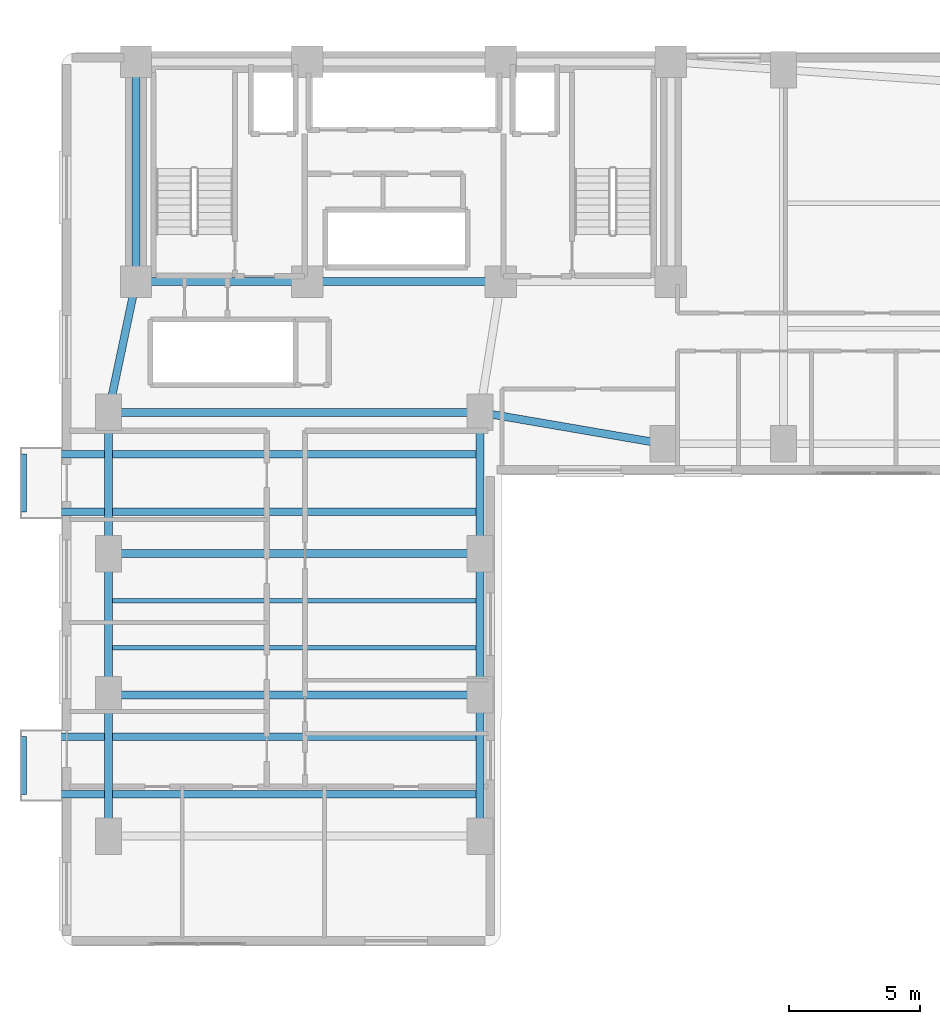
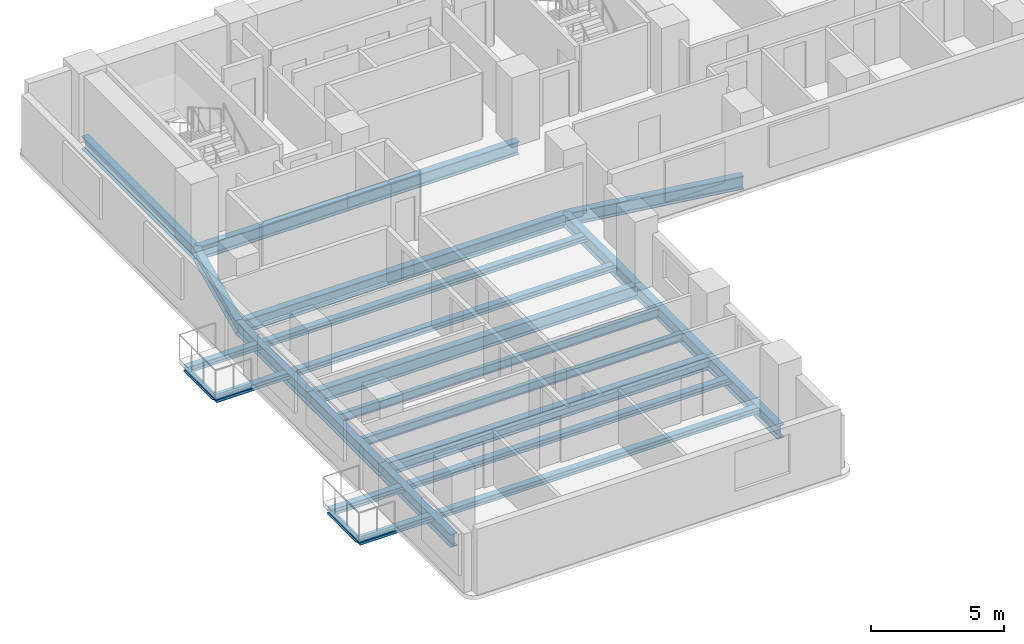
# One storey, part 3 of 18: 22 beams.
"""IFC4 building model written with IfcOpenShell, lengths in metres."""

import ifcopenshell
import ifcopenshell.guid

model = None  # the IFC model being written
_history = None  # IfcOwnerHistory: only IFC2X3 demands one
_inside = {}  # id of a spatial element -> (the spatial element, [elements in it])
_under = {}  # id of a project, library or spatial element -> (it, [spatial elements below it])
_declared = {}  # id of a project -> (the project, [libraries it declares])
_typed = {}  # id of a type object -> (the type object, [elements of that type])
_made_of = {}  # id of a material, layer set ... -> (it, [elements and type objects made of it])


def new_model(schema):
    """Start an empty IFC model of exactly this schema.

    Asked for "IFC4X3", IfcOpenShell would pick the latest addendum, in which some entities
    have other attributes; the version numbers below select the first issue.
    IFC2X3 requires an IfcOwnerHistory on every rooted entity: one is made here for all.
    """
    global model, _history
    if schema == "IFC4X3":
        model = ifcopenshell.file(schema_version=(4, 3, 0, 0))
    else:
        model = ifcopenshell.file(schema=schema)
    _inside.clear()
    _under.clear()
    _declared.clear()
    _typed.clear()
    _made_of.clear()
    _history = None
    if model.schema == "IFC2X3":
        org = make("IfcOrganization", Name="unknown")
        user = make(
            "IfcPersonAndOrganization",
            ThePerson=make("IfcPerson", FamilyName="unknown"),
            TheOrganization=org,
        )
        app = make(
            "IfcApplication",
            ApplicationDeveloper=org,
            Version="unknown",
            ApplicationFullName="unknown",
            ApplicationIdentifier="unknown",
        )
        _history = make(
            "IfcOwnerHistory",
            OwningUser=user,
            OwningApplication=app,
            ChangeAction="ADDED",
            CreationDate=0,
        )
    return model


def make(cls, **values):
    """One entity of the class cls with the attributes given. An attribute that is None is left unset."""
    return model.create_entity(
        cls, **{name: value for name, value in values.items() if value is not None}
    )


def rooted(cls, **values):
    """An entity with a GlobalId (a new one), such as an element, a storey or a relation."""
    return make(cls, GlobalId=ifcopenshell.guid.new(), OwnerHistory=_history, **values)


def si_unit(unit_type, name, prefix=None):
    """IfcSIUnit, for example si_unit("LENGTHUNIT", "METRE", prefix="MILLI")."""
    return make("IfcSIUnit", UnitType=unit_type, Prefix=prefix, Name=name)


def assignment(units):
    """IfcUnitAssignment: the units of a project."""
    return None if units is None else make("IfcUnitAssignment", Units=units)


def point(xyz):
    """IfcCartesianPoint."""
    return None if xyz is None else make("IfcCartesianPoint", Coordinates=xyz)


def direction(xyz):
    """IfcDirection."""
    return None if xyz is None else make("IfcDirection", DirectionRatios=xyz)


def frame(location, z_axis=None, x_axis=None):
    """IfcAxis2Placement3D, a coordinate frame: its origin and axes. An axis left out is left unset."""
    return make(
        "IfcAxis2Placement3D",
        Location=point(location),
        Axis=direction(z_axis),
        RefDirection=direction(x_axis),
    )


def frame_2d(location, x_axis=None):
    """IfcAxis2Placement2D, a coordinate frame in the plane: its origin and x axis."""
    return make(
        "IfcAxis2Placement2D", Location=point(location), RefDirection=direction(x_axis)
    )


def origin():
    """The frame at (0, 0, 0) with its axes left unset."""
    return frame((0.0, 0.0, 0.0))


def origin_2d():
    """The frame at (0, 0) in the plane with its x axis left unset."""
    return frame_2d((0.0, 0.0))


def place(relative_to, where):
    """IfcLocalPlacement: puts the frame where relative to a parent placement (None: the world)."""
    return make(
        "IfcLocalPlacement", PlacementRelTo=relative_to, RelativePlacement=where
    )


def context(
    kind, dimensions, precision=None, world=None, true_north=None, identifier=None
):
    """IfcGeometricRepresentationContext, for example the 3D "Model" context."""
    return make(
        "IfcGeometricRepresentationContext",
        ContextIdentifier=identifier,
        ContextType=kind,
        CoordinateSpaceDimension=dimensions,
        Precision=precision,
        WorldCoordinateSystem=world,
        TrueNorth=true_north,
    )


def subcontext(parent, identifier, kind, view, scale=None):
    """IfcGeometricRepresentationSubContext, for example "Body" below "Model"."""
    return make(
        "IfcGeometricRepresentationSubContext",
        ContextIdentifier=identifier,
        ContextType=kind,
        ParentContext=parent,
        TargetScale=scale,
        TargetView=view,
    )


def project(units=None, contexts=None):
    """IfcProject with its units and contexts."""
    return rooted(
        "IfcProject",
        Name="project",
        RepresentationContexts=contexts,
        UnitsInContext=assignment(units),
    )


def spatial(cls, under=None, at=None, **own):
    """A site, building, storey or space (cls), placed at a placement, below another one or the project."""
    s = rooted(cls, ObjectPlacement=at, **own)
    if under is not None:
        _under.setdefault(under.id(), (under, []))[1].append(s)
    return s


def profile(cls, at=None, kind="AREA", **sizes):
    """A parametric profile (cls). Its sizes go by their IFC names, for example OverallWidth=200.0."""
    return make(cls, ProfileType=kind, Position=at, **sizes)


def i_section(**sizes):
    """IfcIShapeProfileDef."""
    return profile("IfcIShapeProfileDef", **sizes)


def extrude(swept, where, along, depth):
    """IfcExtrudedAreaSolid: the profile swept, set in the frame where, extruded along a direction by depth."""
    return make(
        "IfcExtrudedAreaSolid",
        SweptArea=swept,
        Position=where,
        ExtrudedDirection=direction(along),
        Depth=depth,
    )


def shape(context_of_items, identifier, shape_type, items):
    """IfcShapeRepresentation: the items that make up one representation, for example the "Body"."""
    return make(
        "IfcShapeRepresentation",
        ContextOfItems=context_of_items,
        RepresentationIdentifier=identifier,
        RepresentationType=shape_type,
        Items=items,
    )


def material(Name=None, Category=None):
    """IfcMaterial."""
    return make("IfcMaterial", Name=Name, Category=Category)


def material_profile(
    of_material, cross_section, Name=None, Category=None, Priority=None
):
    """IfcMaterialProfile: a cross section and its material."""
    return make(
        "IfcMaterialProfile",
        Name=Name,
        Material=of_material,
        Profile=cross_section,
        Priority=Priority,
        Category=Category,
    )


def profile_set(profiles, Name=None, composite=None):
    """IfcMaterialProfileSet."""
    return make(
        "IfcMaterialProfileSet",
        Name=Name,
        MaterialProfiles=profiles,
        CompositeProfile=composite,
    )


def made_of(thing, what):
    """Note that an element or type object is made of a material, layer set ...; save() writes the relation."""
    if what is not None:
        _made_of.setdefault(what.id(), (what, []))[1].append(thing)
    return thing


def type_object(cls, material=None, **own):
    """A type object (cls), such as IfcWallType, which elements share."""
    return made_of(rooted(cls, **own), material)


def element(
    cls,
    number,
    at=None,
    inside=None,
    cuts=None,
    type_object=None,
    material=None,
    context=None,
    identifier="Body",
    shape_type=None,
    held_by="IfcProductDefinitionShape",
    body=None,
    shapes=None,
    **own,
):
    """One element of the class cls, such as IfcWall. Its Tag is "e" and its number.

    at: its placement. inside: the storey or other place that contains it. cuts: it is an
    opening in that element (IfcRelVoidsElement). A single representation is given by context,
    identifier, shape_type and body (its items); several are given by shapes. held_by: the class
    of the entity that holds the representations. save() writes the other relations.
    """
    e = rooted(cls, Tag="e%d" % number, ObjectPlacement=at, **own)
    if body is not None:
        shapes = [shape(context, identifier, shape_type, body)]
    if shapes is not None:
        e.Representation = make(held_by, Representations=shapes)
    if inside is not None:
        _inside.setdefault(inside.id(), (inside, []))[1].append(e)
    if cuts is not None:
        rooted(
            "IfcRelVoidsElement", RelatingBuildingElement=cuts, RelatedOpeningElement=e
        )
    if type_object is not None:
        _typed.setdefault(type_object.id(), (type_object, []))[1].append(e)
    return made_of(e, material)


def aggregate(whole, parts):
    """IfcRelAggregates: a whole, such as a stair, and the parts it consists of."""
    return rooted("IfcRelAggregates", RelatingObject=whole, RelatedObjects=parts)


def save(model, path):
    """Write the relations noted so far, then the file.

    IfcRelAggregates (storeys below a building ...), IfcRelContainedInSpatialStructure (elements
    in a storey), IfcRelDefinesByType, IfcRelAssociatesMaterial and IfcRelDeclares: one each for
    every whole, place, type object, material and project.
    """
    for whole, parts in _under.values():
        aggregate(whole, parts)
    for where, things in _inside.values():
        rooted(
            "IfcRelContainedInSpatialStructure",
            RelatedElements=things,
            RelatingStructure=where,
        )
    for kind, things in _typed.values():
        rooted("IfcRelDefinesByType", RelatedObjects=things, RelatingType=kind)
    for what, things in _made_of.values():
        rooted("IfcRelAssociatesMaterial", RelatedObjects=things, RelatingMaterial=what)
    for by, libraries in _declared.values():
        rooted("IfcRelDeclares", RelatingContext=by, RelatedDefinitions=libraries)
    model.write(path)


model = new_model("IFC4")

# Units and contexts
model_context = context("Model", 3, precision=1e-05, world=origin(), true_north=direction((0.0, 1.0)))
body_context = subcontext(model_context, "Body", "Model", "MODEL_VIEW")
ifc_project = project(units=[si_unit("LENGTHUNIT", "METRE"), si_unit("AREAUNIT", "SQUARE_METRE"), si_unit("VOLUMEUNIT", "CUBIC_METRE"), si_unit("PLANEANGLEUNIT", "RADIAN"), si_unit("MASSUNIT", "GRAM", prefix="KILO")], contexts=[model_context])

# Site, building, storey
site_placement = place(None, origin())
site = spatial("IfcSite", under=ifc_project, at=site_placement, CompositionType="ELEMENT")
building_placement = place(site_placement, origin())
building = spatial("IfcBuilding", under=site, at=building_placement, Name="Kuzgunbayir Cultural Tower", CompositionType="ELEMENT")
storey_placement = place(building_placement, frame((0.0, 0.0, 53.199951171875)))
storey = spatial("IfcBuildingStorey", under=building, at=storey_placement, Name="L14", CompositionType="ELEMENT", Elevation=53.199951171875)

# Beams
ifc_material = material(Name="Steel S355J2", Category="steel")
ifc_material_profile_1 = material_profile(ifc_material, i_section(OverallWidth=0.280029296875, OverallDepth=0.280029296875, WebThickness=0.010498046875, FlangeThickness=0.01806640625, FilletRadius=0.02392578125, at=origin_2d()), Name="HEB 280")
ifc_profile_set_1 = profile_set([ifc_material_profile_1], Name="Steel S355J2")
beam_type_1 = type_object("IfcBeamType", Name="BM-BAL-HEB280", PredefinedType="BEAM", material=ifc_profile_set_1)
for number, where, z_axis, x_axis, name in (
    (1, (2.159912109375, 14.199951171875, -0.33984375), (1.0, 0.0, 0.0), (0.0, 1.0, 0.0), "L14 Balcony Outrigger Beam BAL-L14-WA1.1"),
    (2, (2.159912109375, 16.39990234375, -0.33984375), (1.0, 0.0, 0.0), (0.0, 1.0, 0.0), "L14 Balcony Outrigger Beam BAL-L14-WA1.2"),
    (3, (2.159912109375, 25.0, -0.33984375), (1.0, 0.0, 0.0), (0.0, 1.0, 0.0), "L14 Balcony Outrigger Beam BAL-L14-WA3.1"),
    (4, (2.159912109375, 27.199951171875, -0.33984375), (1.0, 0.0, 0.0), (0.0, 1.0, 0.0), "L14 Balcony Outrigger Beam BAL-L14-WA3.2"),
):
    element("IfcBeam", number, at=place(storey_placement, frame(where, z_axis=z_axis, x_axis=x_axis)), inside=storey, type_object=beam_type_1, Name=name, PredefinedType="BEAM", context=body_context, shape_type="SweptSolid", body=[
        extrude(i_section(OverallWidth=0.280029296875, OverallDepth=0.280029296875, WebThickness=0.010498046875, FlangeThickness=0.01806640625, FilletRadius=0.02392578125, at=origin_2d()), origin(), (0.0, 0.0, 1.0), 17.440185546875),
    ])
ifc_material_profile_2 = material_profile(ifc_material, i_section(OverallWidth=0.199951171875, OverallDepth=0.199951171875, WebThickness=0.009033203125, FlangeThickness=0.014892578125, FilletRadius=0.01806640625, at=origin_2d()), Name="HEB 200")
ifc_profile_set_2 = profile_set([ifc_material_profile_2], Name="Steel S355J2")
beam_type_2 = type_object("IfcBeamType", Name="BM-CAN-HEB200", PredefinedType="BEAM", material=ifc_profile_set_2)
for number, where, z_axis, x_axis, name in (
    (5, (2.159912109375, 14.199951171875, -0.300048828125), (0.0, 1.0, 0.0), (-1.0, 0.0, 0.0), "L14 Balcony Edge Header BAL-L14-WA1"),
    (6, (2.159912109375, 25.0, -0.300048828125), (0.0, 1.0, 0.0), (-1.0, 0.0, 0.0), "L14 Balcony Edge Header BAL-L14-WA3"),
):
    element("IfcBeam", number, at=place(storey_placement, frame(where, z_axis=z_axis, x_axis=x_axis)), inside=storey, type_object=beam_type_2, Name=name, PredefinedType="BEAM", context=body_context, shape_type="SweptSolid", body=[
        extrude(i_section(OverallWidth=0.199951171875, OverallDepth=0.199951171875, WebThickness=0.009033203125, FlangeThickness=0.014892578125, FilletRadius=0.01806640625, at=origin_2d()), origin(), (0.0, 0.0, 1.0), 2.199951171875),
    ])
ifc_material_profile_3 = material_profile(ifc_material, i_section(OverallWidth=0.300048828125, OverallDepth=0.60009765625, WebThickness=0.015380859375, FlangeThickness=0.030029296875, FilletRadius=0.027099609375, at=origin_2d()), Name="HEB 600")
ifc_profile_set_3 = profile_set([ifc_material_profile_3], Name="Steel S355J2")
beam_type_3 = type_object("IfcBeamType", Name="BM-EXT-HEB600", PredefinedType="BEAM", material=ifc_profile_set_3)
for number, where, z_axis, x_axis, name in (
    (7, (5.39990234375, 12.60009765625, -0.47998046875), (0.0, 1.0, 0.0), (-1.0, 0.0, 0.0), "L14 Wing A West Girder 1"),
    (8, (19.60009765625, 12.60009765625, -0.47998046875), (0.0, 1.0, 0.0), (-1.0, 0.0, 0.0), "L14 Wing A East Girder 1"),
    (9, (5.39990234375, 18.0, -0.47998046875), (0.0, 1.0, 0.0), (-1.0, 0.0, 0.0), "L14 Wing A West Girder 2"),
    (10, (19.60009765625, 18.0, -0.47998046875), (0.0, 1.0, 0.0), (-1.0, 0.0, 0.0), "L14 Wing A East Girder 2"),
):
    element("IfcBeam", number, at=place(storey_placement, frame(where, z_axis=z_axis, x_axis=x_axis)), inside=storey, type_object=beam_type_3, Name=name, PredefinedType="BEAM", context=body_context, shape_type="SweptSolid", body=[
        extrude(i_section(OverallWidth=0.300048828125, OverallDepth=0.60009765625, WebThickness=0.015380859375, FlangeThickness=0.030029296875, FilletRadius=0.027099609375, at=origin_2d()), origin(), (0.0, 0.0, 1.0), 5.39990234375),
    ])
for number, where, z_axis, x_axis, name in (
    (11, (5.39990234375, 23.39990234375, -0.47998046875), (0.0, 1.0, 0.0), (-1.0, 0.0, 0.0), "L14 Wing A West Girder 3"),
    (12, (19.60009765625, 23.39990234375, -0.47998046875), (0.0, 1.0, 0.0), (-1.0, 0.0, 0.0), "L14 Wing A East Girder 3"),
):
    element("IfcBeam", number, at=place(storey_placement, frame(where, z_axis=z_axis, x_axis=x_axis)), inside=storey, type_object=beam_type_3, Name=name, PredefinedType="BEAM", context=body_context, shape_type="SweptSolid", body=[
        extrude(i_section(OverallWidth=0.300048828125, OverallDepth=0.60009765625, WebThickness=0.015380859375, FlangeThickness=0.030029296875, FilletRadius=0.027099609375, at=origin_2d()), origin(), (0.0, 0.0, 1.0), 5.400146484375),
    ])
ifc_material_profile_4 = material_profile(ifc_material, i_section(OverallWidth=0.300048828125, OverallDepth=0.60009765625, WebThickness=0.015380859375, FlangeThickness=0.030029296875, FilletRadius=0.027099609375, at=origin_2d()), Name="HEB 600")
ifc_profile_set_4 = profile_set([ifc_material_profile_4], Name="Steel S355J2")
beam_type_4 = type_object("IfcBeamType", Name="BM-GIR-HEB600", PredefinedType="BEAM", material=ifc_profile_set_4)
beam_1_placement = place(storey_placement, frame((6.449951171875, 33.800048828125, -0.47998046875), z_axis=(1.0, 0.0, 0.0), x_axis=(0.0, 1.0, 0.0)))
element("IfcBeam", 13, at=beam_1_placement, inside=storey, type_object=beam_type_4, Name="L14 Core South Girder 1", PredefinedType="BEAM", context=body_context, shape_type="SweptSolid", body=[
    extrude(i_section(OverallWidth=0.300048828125, OverallDepth=0.60009765625, WebThickness=0.015380859375, FlangeThickness=0.030029296875, FilletRadius=0.027099609375, at=origin_2d()), origin(), (0.0, 0.0, 1.0), 6.550048828125),
])
beam_2_placement = place(storey_placement, frame((13.0, 33.800048828125, -0.47998046875), z_axis=(1.0, 0.0, 0.0), x_axis=(0.0, 1.0, 0.0)))
element("IfcBeam", 14, at=beam_2_placement, inside=storey, type_object=beam_type_4, Name="L14 Core South Girder 2", PredefinedType="BEAM", context=body_context, shape_type="SweptSolid", body=[
    extrude(i_section(OverallWidth=0.300048828125, OverallDepth=0.60009765625, WebThickness=0.015380859375, FlangeThickness=0.030029296875, FilletRadius=0.027099609375, at=origin_2d()), origin(), (0.0, 0.0, 1.0), 7.39990234375),
])
beam_3_placement = place(storey_placement, frame((6.449951171875, 33.800048828125, -0.47998046875), z_axis=(0.0, 1.0, 0.0), x_axis=(-1.0, 0.0, 0.0)))
element("IfcBeam", 15, at=beam_3_placement, inside=storey, type_object=beam_type_4, Name="L14 Core West Edge Girder", PredefinedType="BEAM", context=body_context, shape_type="SweptSolid", body=[
    extrude(i_section(OverallWidth=0.300048828125, OverallDepth=0.60009765625, WebThickness=0.015380859375, FlangeThickness=0.030029296875, FilletRadius=0.027099609375, at=origin_2d()), origin(), (0.0, 0.0, 1.0), 8.39990234375),
])
for number, where, z_axis, x_axis, name in (
    (16, (5.39990234375, 18.0, -0.47998046875), (1.0, 0.0, 0.0), (0.0, 1.0, 0.0), "L14 Wing A Transverse Girder 2"),
    (17, (5.39990234375, 23.39990234375, -0.47998046875), (1.0, 0.0, 0.0), (0.0, 1.0, 0.0), "L14 Wing A Transverse Girder 3"),
    (18, (5.39990234375, 28.800048828125, -0.47998046875), (1.0, 0.0, 0.0), (0.0, 1.0, 0.0), "L14 Wing A Transverse Girder 4"),
):
    element("IfcBeam", number, at=place(storey_placement, frame(where, z_axis=z_axis, x_axis=x_axis)), inside=storey, type_object=beam_type_4, Name=name, PredefinedType="BEAM", context=body_context, shape_type="SweptSolid", body=[
        extrude(i_section(OverallWidth=0.300048828125, OverallDepth=0.60009765625, WebThickness=0.015380859375, FlangeThickness=0.030029296875, FilletRadius=0.027099609375, at=origin_2d()), origin(), (0.0, 0.0, 1.0), 14.2001953125),
    ])
beam_4_placement = place(storey_placement, frame((5.39990234375, 28.800048828125, -0.47998046875), z_axis=(0.205526387753, 0.978651574329, 0.0), x_axis=(-0.978651574329, 0.205526387753, 0.0)))
element("IfcBeam", 19, at=beam_4_placement, inside=storey, type_object=beam_type_4, Name="L14 Wing A West Core Floor Girder", PredefinedType="BEAM", context=body_context, shape_type="SweptSolid", body=[
    extrude(i_section(OverallWidth=0.300048828125, OverallDepth=0.60009765625, WebThickness=0.015380859375, FlangeThickness=0.030029296875, FilletRadius=0.027099609375, at=origin_2d()), origin(), (0.0, 0.0, 1.0), 5.109130859375),
])
beam_5_placement = place(storey_placement, frame((19.60009765625, 28.800048828125, -0.47998046875), z_axis=(0.985623399742, -0.168957136221, 0.0), x_axis=(0.168957136221, 0.985623399742, 0.0)))
element("IfcBeam", 20, at=beam_5_placement, inside=storey, type_object=beam_type_4, Name="L14 Wing B Waist Tie Girder", PredefinedType="BEAM", context=body_context, shape_type="SweptSolid", body=[
    extrude(i_section(OverallWidth=0.300048828125, OverallDepth=0.60009765625, WebThickness=0.015380859375, FlangeThickness=0.030029296875, FilletRadius=0.027099609375, at=origin_2d()), origin(), (0.0, 0.0, 1.0), 7.10205078125),
])
ifc_material_profile_5 = material_profile(ifc_material, i_section(OverallWidth=0.179931640625, OverallDepth=0.39990234375, WebThickness=0.008544921875, FlangeThickness=0.013427734375, FilletRadius=0.02099609375, at=origin_2d()), Name="IPE 400")
ifc_profile_set_5 = profile_set([ifc_material_profile_5], Name="Steel S355J2")
beam_type_5 = type_object("IfcBeamType", Name="BM-JST-IPE400", PredefinedType="JOIST", material=ifc_profile_set_5)
for number, where, z_axis, x_axis, name in (
    (21, (5.550048828125, 19.800048828125, -0.3798828125), (1.0, 0.0, 0.0), (0.0, 1.0, 0.0), "L14 Wing A Secondary Joist 3"),
    (22, (5.550048828125, 21.60009765625, -0.3798828125), (1.0, 0.0, 0.0), (0.0, 1.0, 0.0), "L14 Wing A Secondary Joist 4"),
):
    element("IfcBeam", number, at=place(storey_placement, frame(where, z_axis=z_axis, x_axis=x_axis)), inside=storey, type_object=beam_type_5, Name=name, PredefinedType="JOIST", context=body_context, shape_type="SweptSolid", body=[
        extrude(i_section(OverallWidth=0.179931640625, OverallDepth=0.39990234375, WebThickness=0.008544921875, FlangeThickness=0.013427734375, FilletRadius=0.02099609375, at=origin_2d()), origin(), (0.0, 0.0, 1.0), 13.89990234375),
    ])

save(model, "model.ifc")
